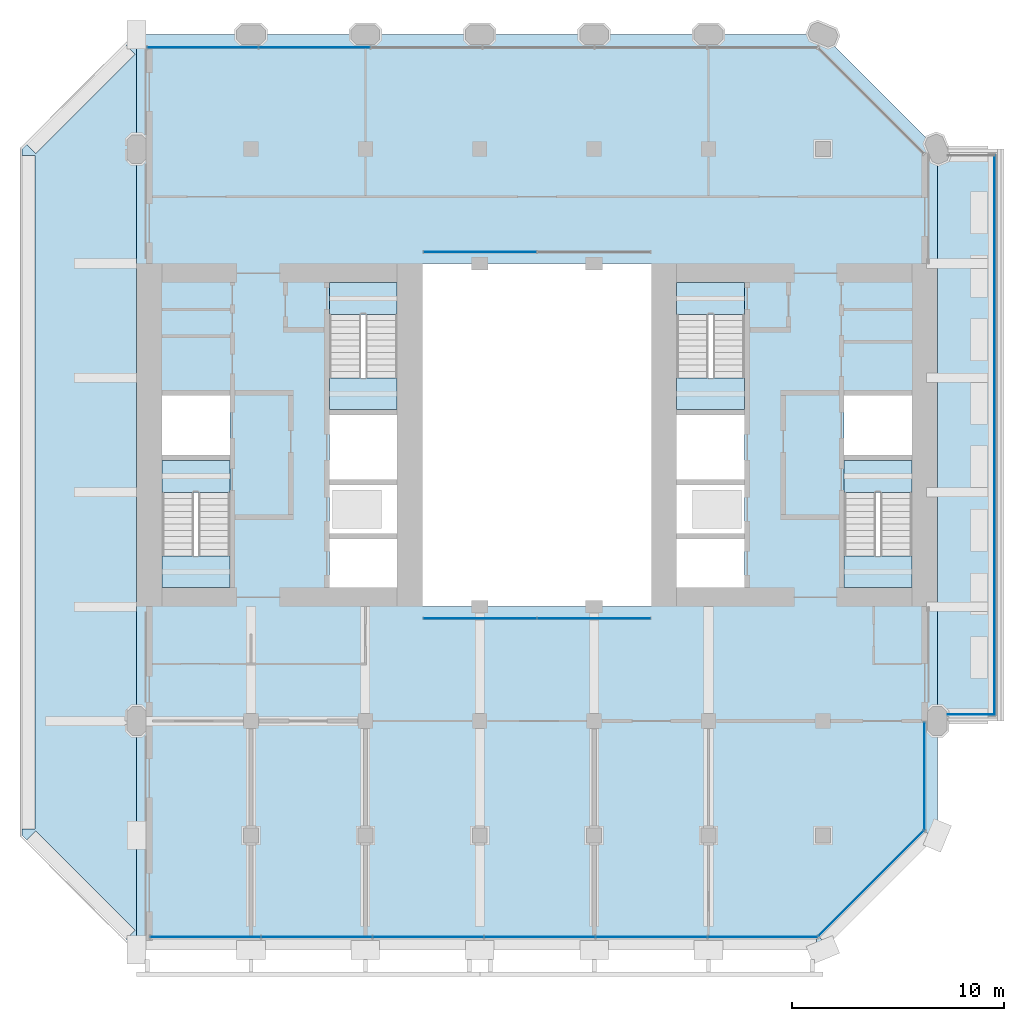
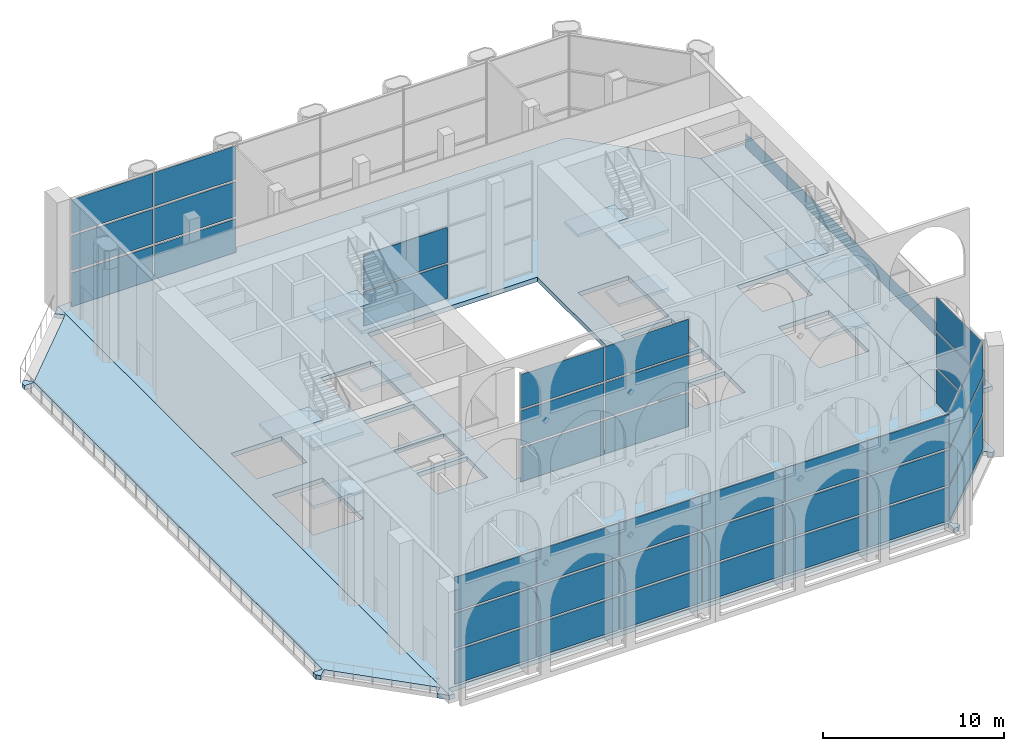
# One storey, part 8 of 20: 40 plates, 15 slabs, 10 elements without a shape of their own.
"""IFC4 building model written with IfcOpenShell, lengths in metres."""

from ifc_helpers import new_model, si_unit, direction, frame, frame_2d, origin, origin_2d, place, context, subcontext, project, spatial, polyline, rectangle, outline, extrude, material, layer, layer_set, type_object, element, aggregate, save


model = new_model("IFC4")

# Units and contexts
model_context = context("Model", 3, precision=1e-05, world=origin(), true_north=direction((0.0, 1.0)))
body_context = subcontext(model_context, "Body", "Model", "MODEL_VIEW")
ifc_project = project(units=[si_unit("LENGTHUNIT", "METRE"), si_unit("AREAUNIT", "SQUARE_METRE"), si_unit("VOLUMEUNIT", "CUBIC_METRE"), si_unit("PLANEANGLEUNIT", "RADIAN"), si_unit("MASSUNIT", "GRAM", prefix="KILO")], contexts=[model_context])

# Site, building, storey
site_placement = place(None, origin())
site = spatial("IfcSite", under=ifc_project, at=site_placement, CompositionType="ELEMENT")
building_placement = place(site_placement, origin())
building = spatial("IfcBuilding", under=site, at=building_placement, Name="Tabaq Tower and Sports Hall", CompositionType="ELEMENT")
storey_placement = place(building_placement, frame((0.0, 0.0, 243.10009765625)))
storey = spatial("IfcBuildingStorey", under=building, at=storey_placement, Name="L60", CompositionType="ELEMENT", Elevation=243.10009765625)

# Curtain wall, plates
ifc_material_1 = material(Name="Aluminium alloy 6063-T6 framed glazing", Category="aluminium")
curtain_wall_type_1 = type_object("IfcCurtainWallType", Name="CW1 curtain wall", PredefinedType="USERDEFINED", material=ifc_material_1)
curtain_wall_1_placement = place(storey_placement, origin())
curtain_wall_1 = element("IfcCurtainWall", 1, at=curtain_wall_1_placement, inside=storey, type_object=curtain_wall_type_1, Name="Atrium glazing L60 S", ObjectType="ATRIUM ENCLOSURE", PredefinedType="USERDEFINED")
ifc_material_2 = material(Name="Clear low-emissivity glass 28 mm", Category="glass")
ifc_layer_1 = layer(ifc_material_2, 0.028076171875)
ifc_layer_set_1 = layer_set([ifc_layer_1], Name="CW1 glass panel 28")
plate_type_1 = type_object("IfcPlateType", Name="CW1 glass panel 28", PredefinedType="CURTAIN_PANEL", material=ifc_layer_set_1)
plate_1_placement = place(storey_placement, frame((21.614990234375, 15.64990234375, 0.139892578125), z_axis=(0.0, 0.0, 1.0), x_axis=(1.0, 0.0, 0.0)))
plate_1 = element("IfcPlate", 2, at=plate_1_placement, type_object=plate_type_1, Name="CW1 panel 1.1", PredefinedType="CURTAIN_PANEL", context=body_context, shape_type="SweptSolid", body=[
    extrude(rectangle(XDim=5.31005859375, YDim=0.028076171875, at=origin_2d()), origin(), (0.0, 0.0, 1.0), 2.2900390625),
])
plate_2_placement = place(storey_placement, frame((21.614990234375, 15.64990234375, 2.56982421875), z_axis=(0.0, 0.0, 1.0), x_axis=(1.0, 0.0, 0.0)))
plate_2 = element("IfcPlate", 3, at=plate_2_placement, type_object=plate_type_1, Name="CW1 panel 1.2", PredefinedType="CURTAIN_PANEL", context=body_context, shape_type="SweptSolid", body=[
    extrude(rectangle(XDim=5.31005859375, YDim=0.028076171875, at=origin_2d()), origin(), (0.0, 0.0, 1.0), 2.360107421875),
])
plate_3_placement = place(storey_placement, frame((21.614990234375, 15.64990234375, 5.06982421875), z_axis=(0.0, 0.0, 1.0), x_axis=(1.0, 0.0, 0.0)))
plate_3 = element("IfcPlate", 4, at=plate_3_placement, type_object=plate_type_1, Name="CW1 panel 1.3", PredefinedType="CURTAIN_PANEL", context=body_context, shape_type="SweptSolid", body=[
    extrude(rectangle(XDim=5.31005859375, YDim=0.028076171875, at=origin_2d()), origin(), (0.0, 0.0, 1.0), 2.2900390625),
])
plate_4_placement = place(storey_placement, frame((26.985107421875, 15.64990234375, 0.139892578125), z_axis=(0.0, 0.0, 1.0), x_axis=(1.0, 0.0, 0.0)))
plate_4 = element("IfcPlate", 5, at=plate_4_placement, type_object=plate_type_1, Name="CW1 panel 2.1", PredefinedType="CURTAIN_PANEL", context=body_context, shape_type="SweptSolid", body=[
    extrude(rectangle(XDim=5.31005859375, YDim=0.028076171875, at=origin_2d()), origin(), (0.0, 0.0, 1.0), 2.2900390625),
])
plate_5_placement = place(storey_placement, frame((26.985107421875, 15.64990234375, 2.56982421875), z_axis=(0.0, 0.0, 1.0), x_axis=(1.0, 0.0, 0.0)))
plate_5 = element("IfcPlate", 6, at=plate_5_placement, type_object=plate_type_1, Name="CW1 panel 2.2", PredefinedType="CURTAIN_PANEL", context=body_context, shape_type="SweptSolid", body=[
    extrude(rectangle(XDim=5.31005859375, YDim=0.028076171875, at=origin_2d()), origin(), (0.0, 0.0, 1.0), 2.360107421875),
])
plate_6_placement = place(storey_placement, frame((26.985107421875, 15.64990234375, 5.06982421875), z_axis=(0.0, 0.0, 1.0), x_axis=(1.0, 0.0, 0.0)))
plate_6 = element("IfcPlate", 7, at=plate_6_placement, type_object=plate_type_1, Name="CW1 panel 2.3", PredefinedType="CURTAIN_PANEL", context=body_context, shape_type="SweptSolid", body=[
    extrude(rectangle(XDim=5.31005859375, YDim=0.028076171875, at=origin_2d()), origin(), (0.0, 0.0, 1.0), 2.2900390625),
])
aggregate(curtain_wall_1, [plate_1, plate_2, plate_3, plate_4, plate_5, plate_6])

curtain_wall_2_placement = place(storey_placement, origin())
curtain_wall_2 = element("IfcCurtainWall", 8, at=curtain_wall_2_placement, inside=storey, type_object=curtain_wall_type_1, Name="Atrium glazing L60 N", ObjectType="ATRIUM ENCLOSURE", PredefinedType="USERDEFINED")
plate_7_placement = place(storey_placement, frame((21.614990234375, 32.949951171875, 0.139892578125), z_axis=(0.0, 0.0, 1.0), x_axis=(1.0, 0.0, 0.0)))
plate_7 = element("IfcPlate", 9, at=plate_7_placement, type_object=plate_type_1, Name="CW1 panel 1.1", PredefinedType="CURTAIN_PANEL", context=body_context, shape_type="SweptSolid", body=[
    extrude(rectangle(XDim=5.31005859375, YDim=0.028076171875, at=origin_2d()), origin(), (0.0, 0.0, 1.0), 2.2900390625),
])
plate_8_placement = place(storey_placement, frame((21.614990234375, 32.949951171875, 2.56982421875), z_axis=(0.0, 0.0, 1.0), x_axis=(1.0, 0.0, 0.0)))
plate_8 = element("IfcPlate", 10, at=plate_8_placement, type_object=plate_type_1, Name="CW1 panel 1.2", PredefinedType="CURTAIN_PANEL", context=body_context, shape_type="SweptSolid", body=[
    extrude(rectangle(XDim=5.31005859375, YDim=0.028076171875, at=origin_2d()), origin(), (0.0, 0.0, 1.0), 2.360107421875),
])
aggregate(curtain_wall_2, [plate_7, plate_8])

ifc_material_3 = material(Name="Aluminium alloy 6063-T6 framed glazing", Category="aluminium")
curtain_wall_type_2 = type_object("IfcCurtainWallType", Name="CW2 curtain wall", PredefinedType="USERDEFINED", material=ifc_material_3)
curtain_wall_3_placement = place(storey_placement, origin())
curtain_wall_3 = element("IfcCurtainWall", 11, at=curtain_wall_3_placement, inside=storey, type_object=curtain_wall_type_2, Name="Sky Lobby Wall L60 S", ObjectType="SKY LOBBY WALL", PredefinedType="USERDEFINED")
ifc_material_4 = material(Name="Clear low-emissivity glass 28 mm", Category="glass")
ifc_layer_2 = layer(ifc_material_4, 0.031982421875)
ifc_layer_set_2 = layer_set([ifc_layer_2], Name="CW2 glass panel 32")
plate_type_2 = type_object("IfcPlateType", Name="CW2 glass panel 32", PredefinedType="CURTAIN_PANEL", material=ifc_layer_set_2)
plate_9_placement = place(storey_placement, frame((8.65185546875, 0.60009765625, 0.15966796875), z_axis=(0.0, 0.0, 1.0), x_axis=(1.0, 0.0, 0.0)))
plate_9 = element("IfcPlate", 12, at=plate_9_placement, type_object=plate_type_2, Name="CW2 panel 1.1", PredefinedType="CURTAIN_PANEL", context=body_context, shape_type="SweptSolid", body=[
    extrude(rectangle(XDim=5.163818359375, YDim=0.031982421875, at=origin_2d()), origin(), (0.0, 0.0, 1.0), 2.260009765625),
])
plate_10_placement = place(storey_placement, frame((8.65185546875, 0.60009765625, 2.580078125), z_axis=(0.0, 0.0, 1.0), x_axis=(1.0, 0.0, 0.0)))
plate_10 = element("IfcPlate", 13, at=plate_10_placement, type_object=plate_type_2, Name="CW2 panel 1.2", PredefinedType="CURTAIN_PANEL", context=body_context, shape_type="SweptSolid", body=[
    extrude(rectangle(XDim=5.163818359375, YDim=0.031982421875, at=origin_2d()), origin(), (0.0, 0.0, 1.0), 2.340087890625),
])
plate_11_placement = place(storey_placement, frame((8.65185546875, 0.60009765625, 5.080078125), z_axis=(0.0, 0.0, 1.0), x_axis=(1.0, 0.0, 0.0)))
plate_11 = element("IfcPlate", 14, at=plate_11_placement, type_object=plate_type_2, Name="CW2 panel 1.3", PredefinedType="CURTAIN_PANEL", context=body_context, shape_type="SweptSolid", body=[
    extrude(rectangle(XDim=5.163818359375, YDim=0.031982421875, at=origin_2d()), origin(), (0.0, 0.0, 1.0), 2.260009765625),
])
plate_12_placement = place(storey_placement, frame((13.9033203125, 0.60009765625, 0.15966796875), z_axis=(0.0, 0.0, 1.0), x_axis=(1.0, 0.0, 0.0)))
plate_12 = element("IfcPlate", 15, at=plate_12_placement, type_object=plate_type_2, Name="CW2 panel 2.1", PredefinedType="CURTAIN_PANEL", context=body_context, shape_type="SweptSolid", body=[
    extrude(rectangle(XDim=5.198974609375, YDim=0.031982421875, at=origin_2d()), origin(), (0.0, 0.0, 1.0), 2.260009765625),
])
plate_13_placement = place(storey_placement, frame((13.9033203125, 0.60009765625, 2.580078125), z_axis=(0.0, 0.0, 1.0), x_axis=(1.0, 0.0, 0.0)))
plate_13 = element("IfcPlate", 16, at=plate_13_placement, type_object=plate_type_2, Name="CW2 panel 2.2", PredefinedType="CURTAIN_PANEL", context=body_context, shape_type="SweptSolid", body=[
    extrude(rectangle(XDim=5.198974609375, YDim=0.031982421875, at=origin_2d()), origin(), (0.0, 0.0, 1.0), 2.340087890625),
])
plate_14_placement = place(storey_placement, frame((13.9033203125, 0.60009765625, 5.080078125), z_axis=(0.0, 0.0, 1.0), x_axis=(1.0, 0.0, 0.0)))
plate_14 = element("IfcPlate", 17, at=plate_14_placement, type_object=plate_type_2, Name="CW2 panel 2.3", PredefinedType="CURTAIN_PANEL", context=body_context, shape_type="SweptSolid", body=[
    extrude(rectangle(XDim=5.198974609375, YDim=0.031982421875, at=origin_2d()), origin(), (0.0, 0.0, 1.0), 2.260009765625),
])
plate_15_placement = place(storey_placement, frame((19.17236328125, 0.60009765625, 0.15966796875), z_axis=(0.0, 0.0, 1.0), x_axis=(1.0, 0.0, 0.0)))
plate_15 = element("IfcPlate", 18, at=plate_15_placement, type_object=plate_type_2, Name="CW2 panel 3.1", PredefinedType="CURTAIN_PANEL", context=body_context, shape_type="SweptSolid", body=[
    extrude(rectangle(XDim=5.198974609375, YDim=0.031982421875, at=origin_2d()), origin(), (0.0, 0.0, 1.0), 2.260009765625),
])
plate_16_placement = place(storey_placement, frame((19.17236328125, 0.60009765625, 2.580078125), z_axis=(0.0, 0.0, 1.0), x_axis=(1.0, 0.0, 0.0)))
plate_16 = element("IfcPlate", 19, at=plate_16_placement, type_object=plate_type_2, Name="CW2 panel 3.2", PredefinedType="CURTAIN_PANEL", context=body_context, shape_type="SweptSolid", body=[
    extrude(rectangle(XDim=5.198974609375, YDim=0.031982421875, at=origin_2d()), origin(), (0.0, 0.0, 1.0), 2.340087890625),
])
plate_17_placement = place(storey_placement, frame((19.17236328125, 0.60009765625, 5.080078125), z_axis=(0.0, 0.0, 1.0), x_axis=(1.0, 0.0, 0.0)))
plate_17 = element("IfcPlate", 20, at=plate_17_placement, type_object=plate_type_2, Name="CW2 panel 3.3", PredefinedType="CURTAIN_PANEL", context=body_context, shape_type="SweptSolid", body=[
    extrude(rectangle(XDim=5.198974609375, YDim=0.031982421875, at=origin_2d()), origin(), (0.0, 0.0, 1.0), 2.260009765625),
])
plate_18_placement = place(storey_placement, frame((24.441162109375, 0.60009765625, 0.15966796875), z_axis=(0.0, 0.0, 1.0), x_axis=(1.0, 0.0, 0.0)))
plate_18 = element("IfcPlate", 21, at=plate_18_placement, type_object=plate_type_2, Name="CW2 panel 4.1", PredefinedType="CURTAIN_PANEL", context=body_context, shape_type="SweptSolid", body=[
    extrude(rectangle(XDim=5.198974609375, YDim=0.031982421875, at=origin_2d()), origin(), (0.0, 0.0, 1.0), 2.260009765625),
])
plate_19_placement = place(storey_placement, frame((24.441162109375, 0.60009765625, 2.580078125), z_axis=(0.0, 0.0, 1.0), x_axis=(1.0, 0.0, 0.0)))
plate_19 = element("IfcPlate", 22, at=plate_19_placement, type_object=plate_type_2, Name="CW2 panel 4.2", PredefinedType="CURTAIN_PANEL", context=body_context, shape_type="SweptSolid", body=[
    extrude(rectangle(XDim=5.198974609375, YDim=0.031982421875, at=origin_2d()), origin(), (0.0, 0.0, 1.0), 2.340087890625),
])
plate_20_placement = place(storey_placement, frame((24.441162109375, 0.60009765625, 5.080078125), z_axis=(0.0, 0.0, 1.0), x_axis=(1.0, 0.0, 0.0)))
plate_20 = element("IfcPlate", 23, at=plate_20_placement, type_object=plate_type_2, Name="CW2 panel 4.3", PredefinedType="CURTAIN_PANEL", context=body_context, shape_type="SweptSolid", body=[
    extrude(rectangle(XDim=5.198974609375, YDim=0.031982421875, at=origin_2d()), origin(), (0.0, 0.0, 1.0), 2.260009765625),
])
plate_21_placement = place(storey_placement, frame((29.710205078125, 0.60009765625, 0.15966796875), z_axis=(0.0, 0.0, 1.0), x_axis=(1.0, 0.0, 0.0)))
plate_21 = element("IfcPlate", 24, at=plate_21_placement, type_object=plate_type_2, Name="CW2 panel 5.1", PredefinedType="CURTAIN_PANEL", context=body_context, shape_type="SweptSolid", body=[
    extrude(rectangle(XDim=5.198974609375, YDim=0.031982421875, at=origin_2d()), origin(), (0.0, 0.0, 1.0), 2.260009765625),
])
plate_22_placement = place(storey_placement, frame((29.710205078125, 0.60009765625, 2.580078125), z_axis=(0.0, 0.0, 1.0), x_axis=(1.0, 0.0, 0.0)))
plate_22 = element("IfcPlate", 25, at=plate_22_placement, type_object=plate_type_2, Name="CW2 panel 5.2", PredefinedType="CURTAIN_PANEL", context=body_context, shape_type="SweptSolid", body=[
    extrude(rectangle(XDim=5.198974609375, YDim=0.031982421875, at=origin_2d()), origin(), (0.0, 0.0, 1.0), 2.340087890625),
])
plate_23_placement = place(storey_placement, frame((29.710205078125, 0.60009765625, 5.080078125), z_axis=(0.0, 0.0, 1.0), x_axis=(1.0, 0.0, 0.0)))
plate_23 = element("IfcPlate", 26, at=plate_23_placement, type_object=plate_type_2, Name="CW2 panel 5.3", PredefinedType="CURTAIN_PANEL", context=body_context, shape_type="SweptSolid", body=[
    extrude(rectangle(XDim=5.198974609375, YDim=0.031982421875, at=origin_2d()), origin(), (0.0, 0.0, 1.0), 2.260009765625),
])
plate_24_placement = place(storey_placement, frame((34.961669921875, 0.60009765625, 0.15966796875), z_axis=(0.0, 0.0, 1.0), x_axis=(1.0, 0.0, 0.0)))
plate_24 = element("IfcPlate", 27, at=plate_24_placement, type_object=plate_type_2, Name="CW2 panel 6.1", PredefinedType="CURTAIN_PANEL", context=body_context, shape_type="SweptSolid", body=[
    extrude(rectangle(XDim=5.163818359375, YDim=0.031982421875, at=origin_2d()), origin(), (0.0, 0.0, 1.0), 2.260009765625),
])
plate_25_placement = place(storey_placement, frame((34.961669921875, 0.60009765625, 2.580078125), z_axis=(0.0, 0.0, 1.0), x_axis=(1.0, 0.0, 0.0)))
plate_25 = element("IfcPlate", 28, at=plate_25_placement, type_object=plate_type_2, Name="CW2 panel 6.2", PredefinedType="CURTAIN_PANEL", context=body_context, shape_type="SweptSolid", body=[
    extrude(rectangle(XDim=5.163818359375, YDim=0.031982421875, at=origin_2d()), origin(), (0.0, 0.0, 1.0), 2.340087890625),
])
plate_26_placement = place(storey_placement, frame((34.961669921875, 0.60009765625, 5.080078125), z_axis=(0.0, 0.0, 1.0), x_axis=(1.0, 0.0, 0.0)))
plate_26 = element("IfcPlate", 29, at=plate_26_placement, type_object=plate_type_2, Name="CW2 panel 6.3", PredefinedType="CURTAIN_PANEL", context=body_context, shape_type="SweptSolid", body=[
    extrude(rectangle(XDim=5.163818359375, YDim=0.031982421875, at=origin_2d()), origin(), (0.0, 0.0, 1.0), 2.260009765625),
])
aggregate(curtain_wall_3, [plate_9, plate_10, plate_11, plate_12, plate_13, plate_14, plate_15, plate_16, plate_17, plate_18, plate_19, plate_20, plate_21, plate_22, plate_23, plate_24, plate_25, plate_26])

curtain_wall_4_placement = place(storey_placement, origin())
curtain_wall_4 = element("IfcCurtainWall", 30, at=curtain_wall_4_placement, inside=storey, type_object=curtain_wall_type_2, Name="Sky Lobby Wall L60 SE", ObjectType="SKY LOBBY WALL", PredefinedType="USERDEFINED")
plate_27_placement = place(storey_placement, frame((40.07568359375, 3.124267578125, 0.15966796875), z_axis=(0.0, 0.0, 1.0), x_axis=(0.707106781187, 0.707106781187, 0.0)))
plate_27 = element("IfcPlate", 31, at=plate_27_placement, type_object=plate_type_2, Name="CW2 panel 1.1", PredefinedType="CURTAIN_PANEL", context=body_context, shape_type="SweptSolid", body=[
    extrude(rectangle(XDim=6.999755859375, YDim=0.031982421875, at=origin_2d()), origin(), (0.0, 0.0, 1.0), 2.260009765625),
])
plate_28_placement = place(storey_placement, frame((40.07568359375, 3.124267578125, 2.580078125), z_axis=(0.0, 0.0, 1.0), x_axis=(0.707106781187, 0.707106781187, 0.0)))
plate_28 = element("IfcPlate", 32, at=plate_28_placement, type_object=plate_type_2, Name="CW2 panel 1.2", PredefinedType="CURTAIN_PANEL", context=body_context, shape_type="SweptSolid", body=[
    extrude(rectangle(XDim=6.999755859375, YDim=0.031982421875, at=origin_2d()), origin(), (0.0, 0.0, 1.0), 2.340087890625),
])
plate_29_placement = place(storey_placement, frame((40.07568359375, 3.124267578125, 5.080078125), z_axis=(0.0, 0.0, 1.0), x_axis=(0.707106781187, 0.707106781187, 0.0)))
plate_29 = element("IfcPlate", 33, at=plate_29_placement, type_object=plate_type_2, Name="CW2 panel 1.3", PredefinedType="CURTAIN_PANEL", context=body_context, shape_type="SweptSolid", body=[
    extrude(rectangle(XDim=6.999755859375, YDim=0.031982421875, at=origin_2d()), origin(), (0.0, 0.0, 1.0), 2.260009765625),
])
aggregate(curtain_wall_4, [plate_27, plate_28, plate_29])

curtain_wall_5_placement = place(storey_placement, origin())
curtain_wall_5 = element("IfcCurtainWall", 34, at=curtain_wall_5_placement, inside=storey, type_object=curtain_wall_type_2, Name="Sky Lobby Wall L60 E", ObjectType="SKY LOBBY WALL", PredefinedType="USERDEFINED")
plate_30_placement = place(storey_placement, frame((42.60009765625, 8.193115234375, 0.15966796875), z_axis=(0.0, 0.0, 1.0), x_axis=(0.0, 1.0, 0.0)))
plate_30 = element("IfcPlate", 35, at=plate_30_placement, type_object=plate_type_2, Name="CW2 panel 1.1", PredefinedType="CURTAIN_PANEL", context=body_context, shape_type="SweptSolid", body=[
    extrude(rectangle(XDim=5.073486328125, YDim=0.031982421875, at=origin_2d()), origin(), (0.0, 0.0, 1.0), 2.260009765625),
])
plate_31_placement = place(storey_placement, frame((42.60009765625, 8.193115234375, 2.580078125), z_axis=(0.0, 0.0, 1.0), x_axis=(0.0, 1.0, 0.0)))
plate_31 = element("IfcPlate", 36, at=plate_31_placement, type_object=plate_type_2, Name="CW2 panel 1.2", PredefinedType="CURTAIN_PANEL", context=body_context, shape_type="SweptSolid", body=[
    extrude(rectangle(XDim=5.073486328125, YDim=0.031982421875, at=origin_2d()), origin(), (0.0, 0.0, 1.0), 2.340087890625),
])
plate_32_placement = place(storey_placement, frame((42.60009765625, 8.193115234375, 5.080078125), z_axis=(0.0, 0.0, 1.0), x_axis=(0.0, 1.0, 0.0)))
plate_32 = element("IfcPlate", 37, at=plate_32_placement, type_object=plate_type_2, Name="CW2 panel 1.3", PredefinedType="CURTAIN_PANEL", context=body_context, shape_type="SweptSolid", body=[
    extrude(rectangle(XDim=5.073486328125, YDim=0.031982421875, at=origin_2d()), origin(), (0.0, 0.0, 1.0), 2.260009765625),
])
aggregate(curtain_wall_5, [plate_30, plate_31, plate_32])

curtain_wall_6_placement = place(storey_placement, origin())
curtain_wall_6 = element("IfcCurtainWall", 38, at=curtain_wall_6_placement, inside=storey, type_object=curtain_wall_type_2, Name="Sky Lobby Wall L60 N", ObjectType="SKY LOBBY WALL", PredefinedType="USERDEFINED")
plate_33_placement = place(storey_placement, frame((13.791015625, 42.60009765625, 0.15966796875), z_axis=(0.0, 0.0, 1.0), x_axis=(-1.0, 0.0, 0.0)))
plate_33 = element("IfcPlate", 39, at=plate_33_placement, type_object=plate_type_2, Name="CW2 panel 5.1", PredefinedType="CURTAIN_PANEL", context=body_context, shape_type="SweptSolid", body=[
    extrude(rectangle(XDim=5.223876953125, YDim=0.031982421875, at=origin_2d()), origin(), (0.0, 0.0, 1.0), 2.260009765625),
])
plate_34_placement = place(storey_placement, frame((13.791015625, 42.60009765625, 2.580078125), z_axis=(0.0, 0.0, 1.0), x_axis=(-1.0, 0.0, 0.0)))
plate_34 = element("IfcPlate", 40, at=plate_34_placement, type_object=plate_type_2, Name="CW2 panel 5.2", PredefinedType="CURTAIN_PANEL", context=body_context, shape_type="SweptSolid", body=[
    extrude(rectangle(XDim=5.223876953125, YDim=0.031982421875, at=origin_2d()), origin(), (0.0, 0.0, 1.0), 2.340087890625),
])
plate_35_placement = place(storey_placement, frame((13.791015625, 42.60009765625, 5.080078125), z_axis=(0.0, 0.0, 1.0), x_axis=(-1.0, 0.0, 0.0)))
plate_35 = element("IfcPlate", 41, at=plate_35_placement, type_object=plate_type_2, Name="CW2 panel 5.3", PredefinedType="CURTAIN_PANEL", context=body_context, shape_type="SweptSolid", body=[
    extrude(rectangle(XDim=5.223876953125, YDim=0.031982421875, at=origin_2d()), origin(), (0.0, 0.0, 1.0), 2.260009765625),
])
plate_36_placement = place(storey_placement, frame((8.514404296875, 42.60009765625, 0.15966796875), z_axis=(0.0, 0.0, 1.0), x_axis=(-1.0, 0.0, 0.0)))
plate_36 = element("IfcPlate", 42, at=plate_36_placement, type_object=plate_type_2, Name="CW2 panel 6.1", PredefinedType="CURTAIN_PANEL", context=body_context, shape_type="SweptSolid", body=[
    extrude(rectangle(XDim=5.18896484375, YDim=0.031982421875, at=origin_2d()), origin(), (0.0, 0.0, 1.0), 2.260009765625),
])
plate_37_placement = place(storey_placement, frame((8.514404296875, 42.60009765625, 2.580078125), z_axis=(0.0, 0.0, 1.0), x_axis=(-1.0, 0.0, 0.0)))
plate_37 = element("IfcPlate", 43, at=plate_37_placement, type_object=plate_type_2, Name="CW2 panel 6.2", PredefinedType="CURTAIN_PANEL", context=body_context, shape_type="SweptSolid", body=[
    extrude(rectangle(XDim=5.18896484375, YDim=0.031982421875, at=origin_2d()), origin(), (0.0, 0.0, 1.0), 2.340087890625),
])
plate_38_placement = place(storey_placement, frame((8.514404296875, 42.60009765625, 5.080078125), z_axis=(0.0, 0.0, 1.0), x_axis=(-1.0, 0.0, 0.0)))
plate_38 = element("IfcPlate", 44, at=plate_38_placement, type_object=plate_type_2, Name="CW2 panel 6.3", PredefinedType="CURTAIN_PANEL", context=body_context, shape_type="SweptSolid", body=[
    extrude(rectangle(XDim=5.18896484375, YDim=0.031982421875, at=origin_2d()), origin(), (0.0, 0.0, 1.0), 2.260009765625),
])
aggregate(curtain_wall_6, [plate_33, plate_34, plate_35, plate_36, plate_37, plate_38])

# Slab
ifc_material_5 = material(Name="Concrete C40/50", Category="concrete")
ifc_layer_3 = layer(ifc_material_5, 0.300048828125)
ifc_layer_set_3 = layer_set([ifc_layer_3], Name="Concrete C40/50 PT tray slab 300")
slab_type_1 = type_object("IfcSlabType", Name="Concrete C40/50 PT tray slab 300", PredefinedType="FLOOR", material=ifc_layer_set_3)
slab_1_placement = place(storey_placement, frame((0.0, 0.0, -0.300048828125)))
element("IfcSlab", 45, at=slab_1_placement, inside=storey, type_object=slab_type_1, Name="Tray slab L60", PredefinedType="FLOOR", context=body_context, shape_type="SweptSolid", body=[
    extrude(outline(polyline([(43.199951171875, 10.800048828125), (43.199951171875, 37.800048828125), (46.199951171875, 37.800048828125), (46.199951171875, 10.800048828125), (43.199951171875, 10.800048828125)])), origin(), (0.0, 0.0, 1.0), 0.300048828125),
])

# Stair, slabs
ifc_material_6 = material(Name="Concrete C40/50", Category="concrete")
stair_type = type_object("IfcStairType", Name="Exit stair", PredefinedType="HALF_TURN_STAIR", material=ifc_material_6)
stair_1_placement = place(storey_placement, origin())
stair_1 = element("IfcStair", 46, at=stair_1_placement, inside=storey, type_object=stair_type, Name="L60 Exit stair ST1", PredefinedType="HALF_TURN_STAIR")
ifc_material_7 = material(Name="Concrete C40/50", Category="concrete")
ifc_layer_4 = layer(ifc_material_7, 0.199951171875)
ifc_layer_set_4 = layer_set([ifc_layer_4], Name="Exit stair landing")
slab_type_2 = type_object("IfcSlabType", Name="Exit stair landing", PredefinedType="LANDING", material=ifc_layer_set_4)
slab_2_placement = place(storey_placement, frame((0.0, 0.0, 1.75)))
slab_2 = element("IfcSlab", 47, at=slab_2_placement, type_object=slab_type_2, Name="ST1 landing 1", PredefinedType="LANDING", context=body_context, shape_type="SweptSolid", body=[
    extrude(outline(polyline([(6.60009765625, 18.60009765625), (6.60009765625, 17.10009765625), (9.800048828125, 17.10009765625), (9.800048828125, 18.60009765625), (6.60009765625, 18.60009765625)])), origin(), (0.0, 0.0, 1.0), 0.199951171875),
])
slab_3_placement = place(storey_placement, frame((0.0, 0.0, 3.699951171875)))
slab_3 = element("IfcSlab", 48, at=slab_3_placement, type_object=slab_type_2, Name="ST1 landing 2", PredefinedType="LANDING", context=body_context, shape_type="SweptSolid", body=[
    extrude(outline(polyline([(6.60009765625, 23.10009765625), (6.60009765625, 21.60009765625), (9.800048828125, 21.60009765625), (9.800048828125, 23.10009765625), (6.60009765625, 23.10009765625)])), origin(), (0.0, 0.0, 1.0), 0.199951171875),
])
slab_4_placement = place(storey_placement, frame((0.0, 0.0, 5.64990234375)))
slab_4 = element("IfcSlab", 49, at=slab_4_placement, type_object=slab_type_2, Name="ST1 landing 3", PredefinedType="LANDING", context=body_context, shape_type="SweptSolid", body=[
    extrude(outline(polyline([(6.60009765625, 18.60009765625), (6.60009765625, 17.10009765625), (9.800048828125, 17.10009765625), (9.800048828125, 18.60009765625), (6.60009765625, 18.60009765625)])), origin(), (0.0, 0.0, 1.0), 0.199951171875),
])
aggregate(stair_1, [slab_2, slab_3, slab_4])

stair_2_placement = place(storey_placement, origin())
stair_2 = element("IfcStair", 50, at=stair_2_placement, inside=storey, type_object=stair_type, Name="L60 Exit stair ST2", PredefinedType="HALF_TURN_STAIR")
slab_5_placement = place(storey_placement, frame((0.0, 0.0, 1.75)))
slab_5 = element("IfcSlab", 51, at=slab_5_placement, type_object=slab_type_2, Name="ST2 landing 1", PredefinedType="LANDING", context=body_context, shape_type="SweptSolid", body=[
    extrude(outline(polyline([(14.5, 27.0), (14.5, 25.5), (17.699951171875, 25.5), (17.699951171875, 27.0), (14.5, 27.0)])), origin(), (0.0, 0.0, 1.0), 0.199951171875),
])
slab_6_placement = place(storey_placement, frame((0.0, 0.0, 3.699951171875)))
slab_6 = element("IfcSlab", 52, at=slab_6_placement, type_object=slab_type_2, Name="ST2 landing 2", PredefinedType="LANDING", context=body_context, shape_type="SweptSolid", body=[
    extrude(outline(polyline([(14.5, 31.5), (14.5, 30.0), (17.699951171875, 30.0), (17.699951171875, 31.5), (14.5, 31.5)])), origin(), (0.0, 0.0, 1.0), 0.199951171875),
])
slab_7_placement = place(storey_placement, frame((0.0, 0.0, 5.64990234375)))
slab_7 = element("IfcSlab", 53, at=slab_7_placement, type_object=slab_type_2, Name="ST2 landing 3", PredefinedType="LANDING", context=body_context, shape_type="SweptSolid", body=[
    extrude(outline(polyline([(14.5, 27.0), (14.5, 25.5), (17.699951171875, 25.5), (17.699951171875, 27.0), (14.5, 27.0)])), origin(), (0.0, 0.0, 1.0), 0.199951171875),
])
aggregate(stair_2, [slab_5, slab_6, slab_7])

stair_3_placement = place(storey_placement, origin())
stair_3 = element("IfcStair", 54, at=stair_3_placement, inside=storey, type_object=stair_type, Name="L60 Exit stair ST3", PredefinedType="HALF_TURN_STAIR")
slab_8_placement = place(storey_placement, frame((0.0, 0.0, 1.75)))
slab_8 = element("IfcSlab", 55, at=slab_8_placement, type_object=slab_type_2, Name="ST3 landing 1", PredefinedType="LANDING", context=body_context, shape_type="SweptSolid", body=[
    extrude(outline(polyline([(38.800048828125, 18.60009765625), (38.800048828125, 17.10009765625), (42.0, 17.10009765625), (42.0, 18.60009765625), (38.800048828125, 18.60009765625)])), origin(), (0.0, 0.0, 1.0), 0.199951171875),
])
slab_9_placement = place(storey_placement, frame((0.0, 0.0, 3.699951171875)))
slab_9 = element("IfcSlab", 56, at=slab_9_placement, type_object=slab_type_2, Name="ST3 landing 2", PredefinedType="LANDING", context=body_context, shape_type="SweptSolid", body=[
    extrude(outline(polyline([(38.800048828125, 23.10009765625), (38.800048828125, 21.60009765625), (42.0, 21.60009765625), (42.0, 23.10009765625), (38.800048828125, 23.10009765625)])), origin(), (0.0, 0.0, 1.0), 0.199951171875),
])
slab_10_placement = place(storey_placement, frame((0.0, 0.0, 5.64990234375)))
slab_10 = element("IfcSlab", 57, at=slab_10_placement, type_object=slab_type_2, Name="ST3 landing 3", PredefinedType="LANDING", context=body_context, shape_type="SweptSolid", body=[
    extrude(outline(polyline([(38.800048828125, 18.60009765625), (38.800048828125, 17.10009765625), (42.0, 17.10009765625), (42.0, 18.60009765625), (38.800048828125, 18.60009765625)])), origin(), (0.0, 0.0, 1.0), 0.199951171875),
])
aggregate(stair_3, [slab_8, slab_9, slab_10])

stair_4_placement = place(storey_placement, origin())
stair_4 = element("IfcStair", 58, at=stair_4_placement, inside=storey, type_object=stair_type, Name="L60 Exit stair ST4", PredefinedType="HALF_TURN_STAIR")
slab_11_placement = place(storey_placement, frame((0.0, 0.0, 1.75)))
slab_11 = element("IfcSlab", 59, at=slab_11_placement, type_object=slab_type_2, Name="ST4 landing 1", PredefinedType="LANDING", context=body_context, shape_type="SweptSolid", body=[
    extrude(outline(polyline([(30.89990234375, 27.0), (30.89990234375, 25.5), (34.10009765625, 25.5), (34.10009765625, 27.0), (30.89990234375, 27.0)])), origin(), (0.0, 0.0, 1.0), 0.199951171875),
])
slab_12_placement = place(storey_placement, frame((0.0, 0.0, 3.699951171875)))
slab_12 = element("IfcSlab", 60, at=slab_12_placement, type_object=slab_type_2, Name="ST4 landing 2", PredefinedType="LANDING", context=body_context, shape_type="SweptSolid", body=[
    extrude(outline(polyline([(30.89990234375, 31.5), (30.89990234375, 30.0), (34.10009765625, 30.0), (34.10009765625, 31.5), (30.89990234375, 31.5)])), origin(), (0.0, 0.0, 1.0), 0.199951171875),
])
slab_13_placement = place(storey_placement, frame((0.0, 0.0, 5.64990234375)))
slab_13 = element("IfcSlab", 61, at=slab_13_placement, type_object=slab_type_2, Name="ST4 landing 3", PredefinedType="LANDING", context=body_context, shape_type="SweptSolid", body=[
    extrude(outline(polyline([(30.89990234375, 27.0), (30.89990234375, 25.5), (34.10009765625, 25.5), (34.10009765625, 27.0), (30.89990234375, 27.0)])), origin(), (0.0, 0.0, 1.0), 0.199951171875),
])
aggregate(stair_4, [slab_11, slab_12, slab_13])

# Plates
ifc_material_8 = material(Name="Clear low-emissivity glass 28 mm", Category="glass")
ifc_layer_5 = layer(ifc_material_8, 0.02001953125)
ifc_layer_set_5 = layer_set([ifc_layer_5], Name="Laminated glass tray guard panel 20")
plate_type_3 = type_object("IfcPlateType", Name="Laminated glass tray guard panel 20", PredefinedType="USERDEFINED", material=ifc_layer_set_5)
plate_39_placement = place(storey_placement, frame((43.699951171875, 11.10009765625, 0.0), z_axis=(0.0, 0.0, 1.0), x_axis=(1.0, 0.0, 0.0)))
element("IfcPlate", 62, at=plate_39_placement, inside=storey, type_object=plate_type_3, Name="Tray guard glass L60", ObjectType="GUARD GLASS", PredefinedType="USERDEFINED", context=body_context, shape_type="SweptSolid", body=[
    extrude(rectangle(XDim=2.199951171875, YDim=0.02001953125, at=frame_2d((1.10009765625, 0.0))), origin(), (0.0, 0.0, 1.0), 0.949951171875),
])
plate_40_placement = place(storey_placement, frame((45.89990234375, 11.10009765625, 0.0), z_axis=(0.0, 0.0, 1.0), x_axis=(0.0, 1.0, 0.0)))
element("IfcPlate", 63, at=plate_40_placement, inside=storey, type_object=plate_type_3, Name="Tray guard glass L60", ObjectType="GUARD GLASS", PredefinedType="USERDEFINED", context=body_context, shape_type="SweptSolid", body=[
    extrude(rectangle(XDim=26.39990234375, YDim=0.02001953125, at=frame_2d((13.199951171875, 0.0))), origin(), (0.0, 0.0, 1.0), 0.949951171875),
])

# Slabs
ifc_material_9 = material(Name="Concrete C40/50", Category="concrete")
ifc_layer_6 = layer(ifc_material_9, 0.300048828125)
ifc_layer_set_6 = layer_set([ifc_layer_6], Name="PT FLOOR SLAB 300 C40/50")
slab_type_3 = type_object("IfcSlabType", Name="PT FLOOR SLAB 300 C40/50", PredefinedType="FLOOR", material=ifc_layer_set_6)
slab_14_placement = place(storey_placement, frame((0.0, 0.0, -0.300048828125)))
element("IfcSlab", 64, at=slab_14_placement, inside=storey, type_object=slab_type_3, Name="Floor Slab L60", PredefinedType="FLOOR", context=body_context, shape_type="SweptSolid", body=[
    extrude(outline(polyline([(43.199951171875, 5.39990234375), (43.199951171875, 37.800048828125), (37.800048828125, 43.199951171875), (5.39990234375, 43.199951171875), (5.39990234375, 0.0), (5.698486328125, 0.0), (5.698486328125, 0.5), (5.698486328125, 0.60009765625), (37.50146484375, 0.60009765625), (37.50146484375, 0.5), (37.50146484375, 0.0), (37.800048828125, 0.0), (38.010986328125, 0.211181640625), (37.5869140625, 0.63525390625), (42.598876953125, 5.6474609375), (42.669677734375, 5.57666015625), (43.023193359375, 5.22314453125), (43.199951171875, 5.39990234375)]), holes=[polyline([(14.5, 19.39990234375), (17.699951171875, 19.39990234375), (17.699951171875, 17.10009765625), (14.5, 17.10009765625), (14.5, 19.39990234375)]), polyline([(9.800048828125, 21.599365234375), (9.800048828125, 17.10009765625), (6.60009765625, 17.10009765625), (6.60009765625, 21.599365234375), (9.800048828125, 21.599365234375)]), polyline([(17.699951171875, 21.949951171875), (17.699951171875, 19.64990234375), (14.5, 19.64990234375), (14.5, 21.949951171875), (17.699951171875, 21.949951171875)]), polyline([(14.5, 25.25), (17.699951171875, 25.25), (17.699951171875, 22.199951171875), (14.5, 22.199951171875), (14.5, 25.25)]), polyline([(18.89990234375, 32.39990234375), (29.699951171875, 32.39990234375), (29.699951171875, 16.199951171875), (18.89990234375, 16.199951171875), (18.89990234375, 32.39990234375)]), polyline([(9.800048828125, 26.175048828125), (9.800048828125, 23.35009765625), (6.60009765625, 23.35009765625), (6.60009765625, 26.175048828125), (9.800048828125, 26.175048828125)]), polyline([(14.5, 29.99951171875), (17.699951171875, 29.99951171875), (17.699951171875, 25.5), (14.5, 25.5), (14.5, 29.99951171875)]), polyline([(34.10009765625, 19.39990234375), (34.10009765625, 17.10009765625), (30.89990234375, 17.10009765625), (30.89990234375, 19.39990234375), (34.10009765625, 19.39990234375)]), polyline([(42.0, 21.599365234375), (42.0, 17.10009765625), (38.800048828125, 17.10009765625), (38.800048828125, 21.599365234375), (42.0, 21.599365234375)]), polyline([(34.10009765625, 21.949951171875), (34.10009765625, 19.64990234375), (30.89990234375, 19.64990234375), (30.89990234375, 21.949951171875), (34.10009765625, 21.949951171875)]), polyline([(34.10009765625, 25.25), (34.10009765625, 22.199951171875), (30.89990234375, 22.199951171875), (30.89990234375, 25.25), (34.10009765625, 25.25)]), polyline([(42.0, 26.175048828125), (42.0, 23.35009765625), (38.800048828125, 23.35009765625), (38.800048828125, 26.175048828125), (42.0, 26.175048828125)]), polyline([(34.10009765625, 29.99951171875), (34.10009765625, 25.5), (30.89990234375, 25.5), (30.89990234375, 29.99951171875), (34.10009765625, 29.99951171875)])]), origin(), (0.0, 0.0, 1.0), 0.300048828125),
])
ifc_material_10 = material(Name="Concrete C40/50", Category="concrete")
ifc_layer_7 = layer(ifc_material_10, 0.300048828125)
ifc_layer_set_7 = layer_set([ifc_layer_7], Name="PT TERRACE SLAB 300 C40/50")
slab_type_4 = type_object("IfcSlabType", Name="PT TERRACE SLAB 300 C40/50", PredefinedType="FLOOR", material=ifc_layer_set_7)
slab_15_placement = place(storey_placement, frame((0.0, 0.0, -0.300048828125)))
element("IfcSlab", 65, at=slab_15_placement, inside=storey, type_object=slab_type_4, Name="Terrace Slab L60", PredefinedType="FLOOR", context=body_context, shape_type="SweptSolid", body=[
    extrude(outline(polyline([(0.211181640625, 38.010986328125), (0.0, 37.800048828125), (0.0, 37.50146484375), (0.5, 37.50146484375), (0.60009765625, 37.50146484375), (0.60009765625, 5.698486328125), (0.5, 5.698486328125), (0.0, 5.698486328125), (0.0, 5.39990234375), (0.211181640625, 5.18896484375), (0.63525390625, 5.61328125), (5.322021484375, 0.926513671875), (4.968505859375, 0.57275390625), (4.89794921875, 0.502197265625), (5.39990234375, 0.0), (5.39990234375, 43.199951171875), (4.89794921875, 42.69775390625), (5.25146484375, 42.34423828125), (5.322021484375, 42.273681640625), (0.63525390625, 37.5869140625), (0.211181640625, 38.010986328125)])), origin(), (0.0, 0.0, 1.0), 0.300048828125),
])

save(model, "model.ifc")
